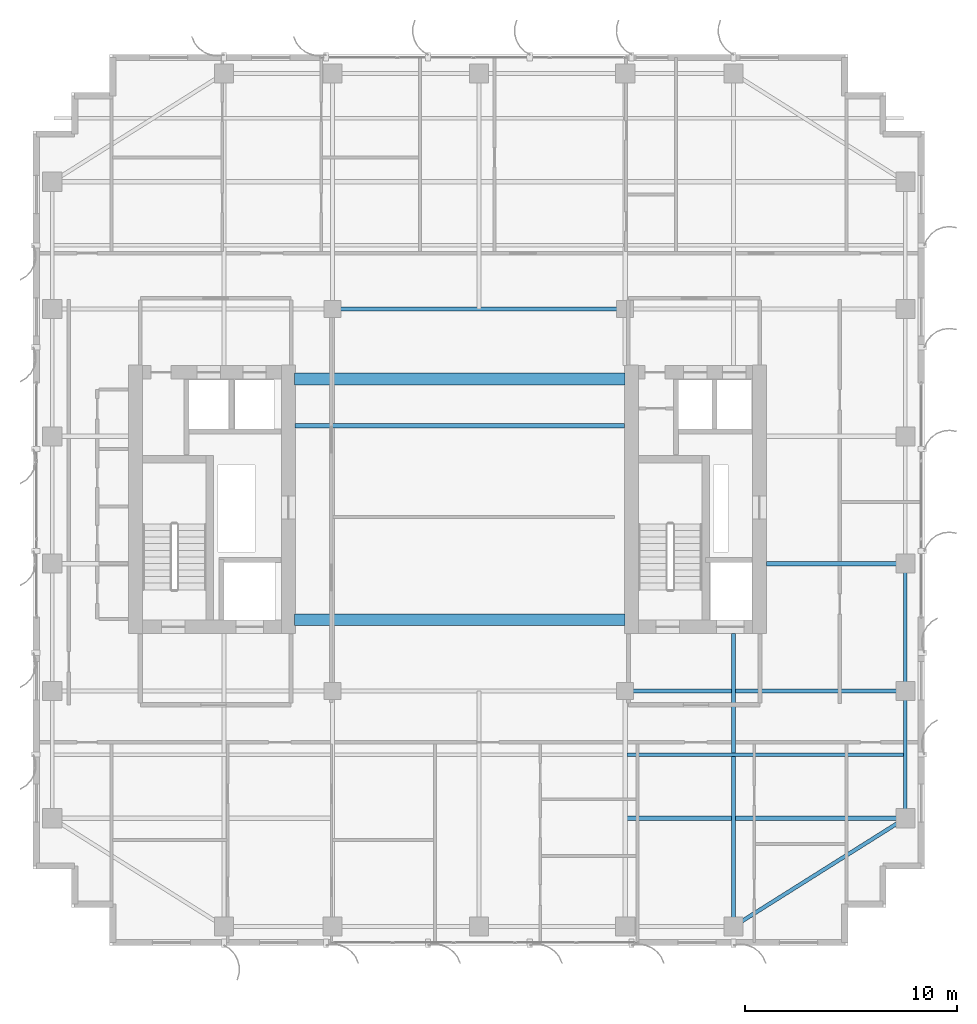
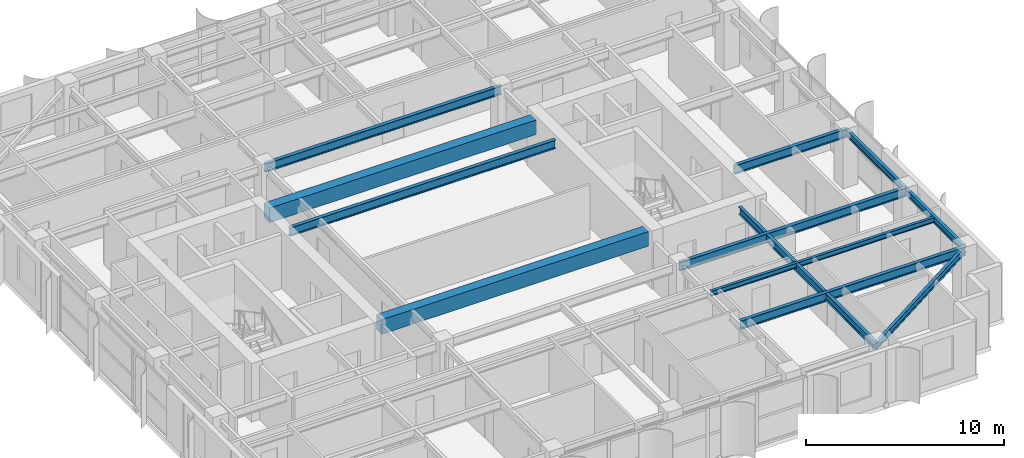
# One storey, part 10 of 25: 12 beams.
"""IFC4 building model written with IfcOpenShell, lengths in metres."""

from ifc_helpers import new_model, si_unit, direction, frame, origin, origin_2d, place, context, subcontext, project, spatial, rectangle, i_section, extrude, source, transform, mapped, material, material_profile, profile_set, type_object, element, save


model = new_model("IFC4")

# Units and contexts
model_context = context("Model", 3, precision=1e-05, world=origin(), true_north=direction((0.0, 1.0)))
body_context = subcontext(model_context, "Body", "Model", "MODEL_VIEW")
ifc_project = project(units=[si_unit("LENGTHUNIT", "METRE"), si_unit("AREAUNIT", "SQUARE_METRE"), si_unit("VOLUMEUNIT", "CUBIC_METRE"), si_unit("PLANEANGLEUNIT", "RADIAN"), si_unit("MASSUNIT", "GRAM", prefix="KILO")], contexts=[model_context])

# Site, building, storey
site_placement = place(None, origin())
site = spatial("IfcSite", under=ifc_project, at=site_placement, CompositionType="ELEMENT")
building_placement = place(site_placement, origin())
building = spatial("IfcBuilding", under=site, at=building_placement, Name="Khoralis Quay Care Tower", CompositionType="ELEMENT")
storey_placement = place(building_placement, frame((0.0, 0.0, 166.5)))
storey = spatial("IfcBuildingStorey", under=building, at=storey_placement, Name="L43", CompositionType="ELEMENT", Elevation=166.5)

# Beams
ifc_material_1 = material(Name="Concrete C65/80", Category="concrete")
ifc_material_profile_1 = material_profile(ifc_material_1, rectangle(XDim=0.550048828125, YDim=0.89990234375, at=origin_2d()), Name="Concrete C65/80")
ifc_profile_set_1 = profile_set([ifc_material_profile_1], Name="Concrete C65/80")
beam_type_1 = type_object("IfcBeamType", Name="CB-RC550X900", PredefinedType="LINTEL", material=ifc_profile_set_1)
shared_shape_1 = source(origin(), body_context, "Body", "SweptSolid", [
    extrude(rectangle(XDim=0.550048828125, YDim=0.89990234375, at=origin_2d()), origin(), (0.0, 0.0, 1.0), 15.579833984375),
])
for number, where, z_axis, x_axis, name in (
    (1, (15.320068359375, 15.35009765625, 2.889892578125), (1.0, 0.0, 0.0), (0.0, 1.0, 0.0), "L43 South Core Coupling Lintel"),
    (2, (15.320068359375, 26.699951171875, 2.889892578125), (1.0, 0.0, 0.0), (0.0, 1.0, 0.0), "L43 North Core Coupling Lintel"),
):
    element("IfcBeam", number, at=place(storey_placement, frame(where, z_axis=z_axis, x_axis=x_axis)), inside=storey, type_object=beam_type_1, Name=name, PredefinedType="LINTEL", context=body_context, shape_type="MappedRepresentation", body=[
        mapped(shared_shape_1, transform((0.0, 0.0, 0.0), scale=1.0)),
    ])
ifc_material_2 = material(Name="Steel S355", Category="steel")
ifc_material_profile_2 = material_profile(ifc_material_2, i_section(OverallWidth=0.179931640625, OverallDepth=0.39990234375, WebThickness=0.008544921875, FlangeThickness=0.013427734375, FilletRadius=0.02099609375, at=origin_2d()), Name="Steel S355")
ifc_profile_set_2 = profile_set([ifc_material_profile_2], Name="Steel S355")
beam_type_2 = type_object("IfcBeamType", Name="BM-IPE400", PredefinedType="SPANDREL", material=ifc_profile_set_2)
shared_shape_2 = source(origin(), body_context, "Body", "SweptSolid", [
    extrude(i_section(OverallWidth=0.179931640625, OverallDepth=0.39990234375, WebThickness=0.008544921875, FlangeThickness=0.013427734375, FilletRadius=0.02099609375, at=origin_2d()), origin(), (0.0, 0.0, 1.0), 6.0),
])
for number, where, z_axis, x_axis, name in (
    (3, (44.10009765625, 6.0, 3.139892578125), (0.0, 1.0, 0.0), (-1.0, 0.0, 0.0), "BM-TSP-L43-14"),
    (4, (44.10009765625, 12.0, 3.139892578125), (0.0, 1.0, 0.0), (-1.0, 0.0, 0.0), "BM-TSP-L43-15"),
):
    element("IfcBeam", number, at=place(storey_placement, frame(where, z_axis=z_axis, x_axis=x_axis)), inside=storey, type_object=beam_type_2, Name=name, PredefinedType="SPANDREL", context=body_context, shape_type="MappedRepresentation", body=[
        mapped(shared_shape_2, transform((0.0, 0.0, 0.0), scale=1.0)),
    ])
shared_shape_3 = source(origin(), body_context, "Body", "SweptSolid", [
    extrude(i_section(OverallWidth=0.179931640625, OverallDepth=0.39990234375, WebThickness=0.008544921875, FlangeThickness=0.013427734375, FilletRadius=0.02099609375, at=origin_2d()), origin(), (0.0, 0.0, 1.0), 9.572021484375),
])
beam_1_placement = place(storey_placement, frame((36.0, 0.89990234375, 3.139892578125), z_axis=(0.846231136359, 0.532815975602, 0.0), x_axis=(-0.532815975602, 0.846231136359, 0.0)))
element("IfcBeam", 5, at=beam_1_placement, inside=storey, type_object=beam_type_2, Name="BM-TCR-L43-20", PredefinedType="SPANDREL", context=body_context, shape_type="MappedRepresentation", body=[
    mapped(shared_shape_3, transform((0.0, 0.0, 0.0), scale=1.0)),
])
ifc_material_profile_3 = material_profile(ifc_material_2, i_section(OverallWidth=0.208984375, OverallDepth=0.532958984375, WebThickness=0.01025390625, FlangeThickness=0.015625, FilletRadius=0.01611328125, at=origin_2d()), Name="Steel S355")
ifc_profile_set_3 = profile_set([ifc_material_profile_3], Name="Steel S355")
beam_type_3 = type_object("IfcBeamType", Name="BM-W530X92", PredefinedType="BEAM", material=ifc_profile_set_3)
shared_shape_4 = source(origin(), body_context, "Body", "SweptSolid", [
    extrude(i_section(OverallWidth=0.208984375, OverallDepth=0.532958984375, WebThickness=0.01025390625, FlangeThickness=0.015625, FilletRadius=0.01611328125, at=origin_2d()), origin(), (0.0, 0.0, 1.0), 13.1162109375),
])
beam_2_placement = place(storey_placement, frame((30.98388671875, 6.0, 3.073486328125), z_axis=(1.0, 0.0, 0.0), x_axis=(0.0, 1.0, 0.0)))
element("IfcBeam", 6, at=beam_2_placement, inside=storey, type_object=beam_type_3, Name="BM-TGXE-L43-60", PredefinedType="BEAM", context=body_context, shape_type="MappedRepresentation", body=[
    mapped(shared_shape_4, transform((0.0, 0.0, 0.0), scale=1.0)),
])
shared_shape_5 = source(origin(), body_context, "Body", "SweptSolid", [
    extrude(i_section(OverallWidth=0.208984375, OverallDepth=0.532958984375, WebThickness=0.01025390625, FlangeThickness=0.015625, FilletRadius=0.01611328125, at=origin_2d()), origin(), (0.0, 0.0, 1.0), 13.2001953125),
])
beam_3_placement = place(storey_placement, frame((30.89990234375, 12.0, 3.073486328125), z_axis=(1.0, 0.0, 0.0), x_axis=(0.0, 1.0, 0.0)))
element("IfcBeam", 7, at=beam_3_placement, inside=storey, type_object=beam_type_3, Name="BM-TGXE-L43-120", PredefinedType="BEAM", context=body_context, shape_type="MappedRepresentation", body=[
    mapped(shared_shape_5, transform((0.0, 0.0, 0.0), scale=1.0)),
])
shared_shape_6 = source(origin(), body_context, "Body", "SweptSolid", [
    extrude(i_section(OverallWidth=0.208984375, OverallDepth=0.532958984375, WebThickness=0.01025390625, FlangeThickness=0.015625, FilletRadius=0.01611328125, at=origin_2d()), origin(), (0.0, 0.0, 1.0), 6.552001953125),
])
beam_4_placement = place(storey_placement, frame((37.548095703125, 18.0, 3.073486328125), z_axis=(1.0, 0.0, 0.0), x_axis=(0.0, 1.0, 0.0)))
element("IfcBeam", 8, at=beam_4_placement, inside=storey, type_object=beam_type_3, Name="BM-TGXE-L43-180", PredefinedType="BEAM", context=body_context, shape_type="MappedRepresentation", body=[
    mapped(shared_shape_6, transform((0.0, 0.0, 0.0), scale=1.0)),
])
shared_shape_7 = source(origin(), body_context, "Body", "SweptSolid", [
    extrude(i_section(OverallWidth=0.208984375, OverallDepth=0.532958984375, WebThickness=0.01025390625, FlangeThickness=0.015625, FilletRadius=0.01611328125, at=origin_2d()), origin(), (0.0, 0.0, 1.0), 13.7998046875),
])
beam_5_placement = place(storey_placement, frame((17.10009765625, 30.0, 3.073486328125), z_axis=(1.0, 0.0, 0.0), x_axis=(0.0, 1.0, 0.0)))
element("IfcBeam", 9, at=beam_5_placement, inside=storey, type_object=beam_type_3, Name="BM-TGCC-L43-300", PredefinedType="BEAM", context=body_context, shape_type="MappedRepresentation", body=[
    mapped(shared_shape_7, transform((0.0, 0.0, 0.0), scale=1.0)),
])
shared_shape_8 = source(origin(), body_context, "Body", "SweptSolid", [
    extrude(i_section(OverallWidth=0.208984375, OverallDepth=0.532958984375, WebThickness=0.01025390625, FlangeThickness=0.015625, FilletRadius=0.01611328125, at=origin_2d()), origin(), (0.0, 0.0, 1.0), 15.524169921875),
])
beam_6_placement = place(storey_placement, frame((15.347900390625, 24.5, 3.073486328125), z_axis=(1.0, 0.0, 0.0), x_axis=(0.0, 1.0, 0.0)))
element("IfcBeam", 10, at=beam_6_placement, inside=storey, type_object=beam_type_3, Name="BM-TGCC-L43-245", PredefinedType="BEAM", context=body_context, shape_type="MappedRepresentation", body=[
    mapped(shared_shape_8, transform((0.0, 0.0, 0.0), scale=1.0)),
])
ifc_material_profile_4 = material_profile(ifc_material_2, i_section(OverallWidth=0.19189453125, OverallDepth=0.462890625, WebThickness=0.010498046875, FlangeThickness=0.017578125, FilletRadius=0.014892578125, at=origin_2d()), Name="Steel S355")
ifc_profile_set_4 = profile_set([ifc_material_profile_4], Name="Steel S355")
beam_type_4 = type_object("IfcBeamType", Name="BM-W460X89", PredefinedType="BEAM", material=ifc_profile_set_4)
shared_shape_9 = source(origin(), body_context, "Body", "SweptSolid", [
    extrude(i_section(OverallWidth=0.19189453125, OverallDepth=0.462890625, WebThickness=0.010498046875, FlangeThickness=0.017578125, FilletRadius=0.014892578125, at=origin_2d()), origin(), (0.0, 0.0, 1.0), 13.802001953125),
])
beam_7_placement = place(storey_placement, frame((36.0, 0.89990234375, 3.1083984375), z_axis=(0.0, 1.0, 0.0), x_axis=(-1.0, 0.0, 0.0)))
element("IfcBeam", 11, at=beam_7_placement, inside=storey, type_object=beam_type_4, Name="BM-TGYS-L43-360", PredefinedType="BEAM", context=body_context, shape_type="MappedRepresentation", body=[
    mapped(shared_shape_9, transform((0.0, 0.0, 0.0), scale=1.0)),
])
ifc_material_profile_5 = material_profile(ifc_material_2, i_section(OverallWidth=0.1650390625, OverallDepth=0.31005859375, WebThickness=0.005859375, FlangeThickness=0.009765625, FilletRadius=0.011962890625, at=origin_2d()), Name="Steel S355")
ifc_profile_set_5 = profile_set([ifc_material_profile_5], Name="Steel S355")
beam_type_5 = type_object("IfcBeamType", Name="BM-W310X39", PredefinedType="JOIST", material=ifc_profile_set_5)
shared_shape_10 = source(origin(), body_context, "Body", "SweptSolid", [
    extrude(i_section(OverallWidth=0.1650390625, OverallDepth=0.31005859375, WebThickness=0.005859375, FlangeThickness=0.009765625, FilletRadius=0.011962890625, at=origin_2d()), origin(), (0.0, 0.0, 1.0), 13.0400390625),
])
beam_8_placement = place(storey_placement, frame((30.98388671875, 9.0, 3.18505859375), z_axis=(1.0, 0.0, 0.0), x_axis=(0.0, 1.0, 0.0)))
element("IfcBeam", 12, at=beam_8_placement, inside=storey, type_object=beam_type_5, Name="BM-TJS-L43-24", PredefinedType="JOIST", context=body_context, shape_type="MappedRepresentation", body=[
    mapped(shared_shape_10, transform((0.0, 0.0, 0.0), scale=1.0)),
])

save(model, "model.ifc")
